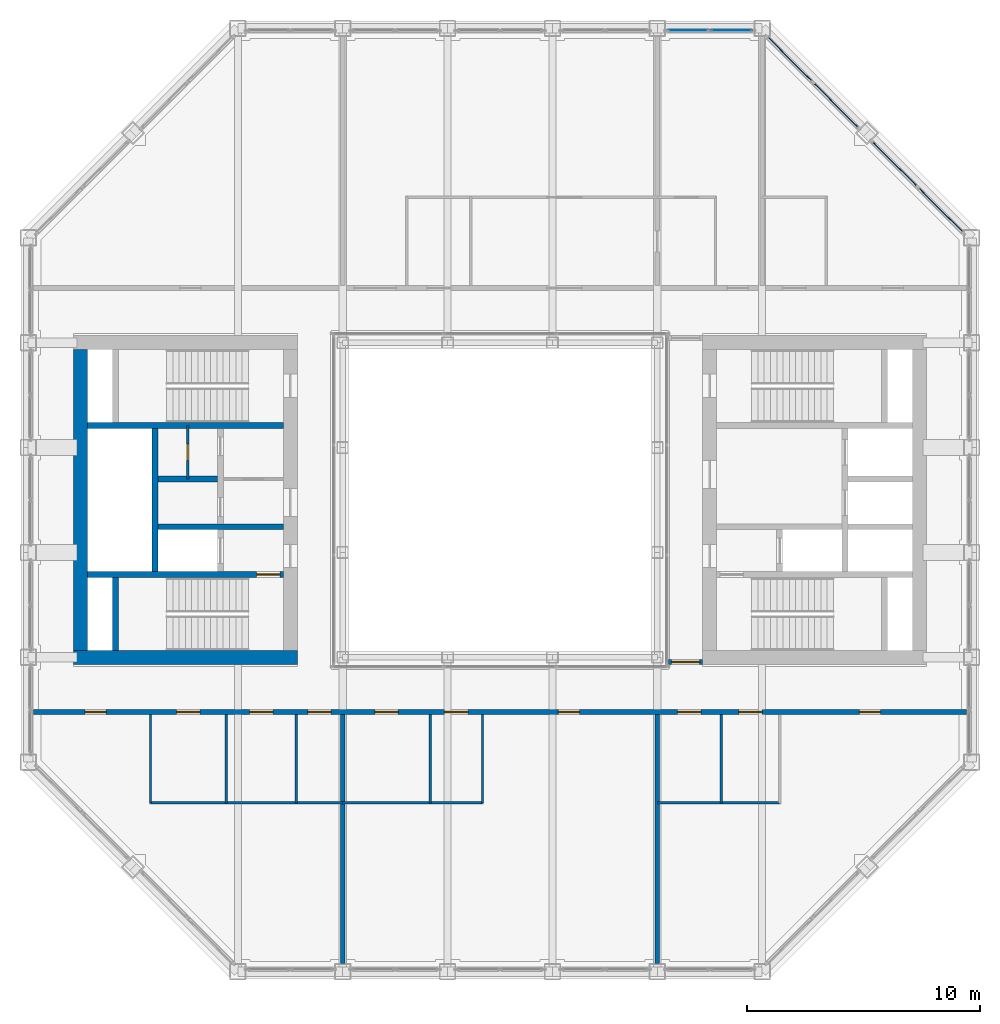
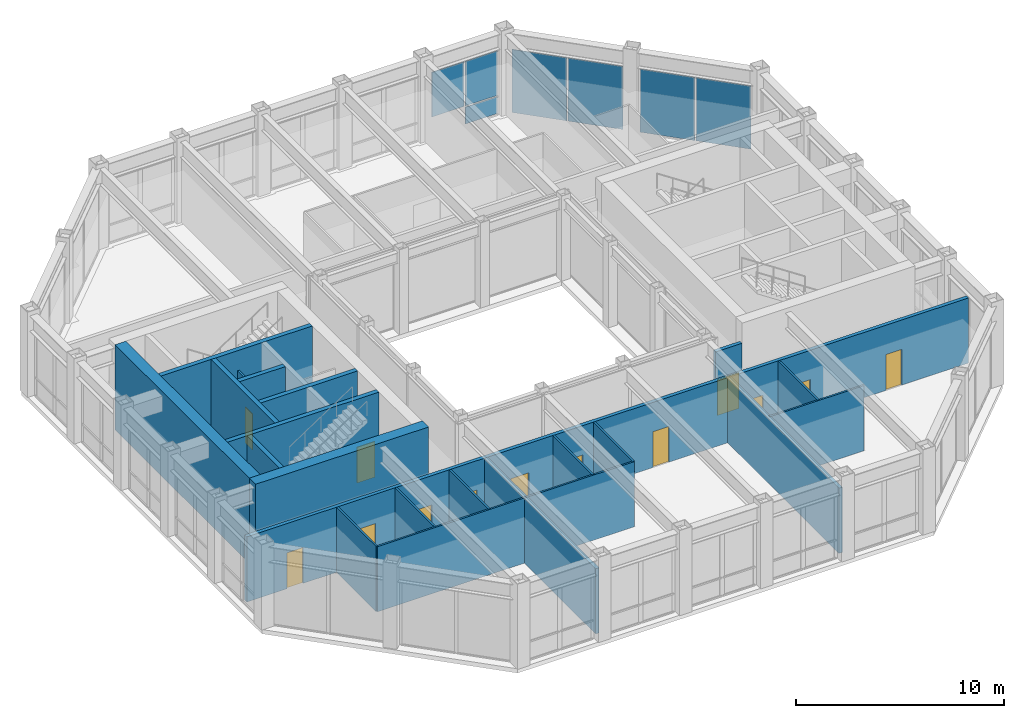
# One storey, part 11 of 15: 22 walls, 13 doors, 7 plates, 13 openings, 3 elements without a shape of their own.
"""IFC4 building model written with IfcOpenShell, lengths in metres."""

from ifc_helpers import new_model, si_unit, direction, frame, frame_2d, origin, origin_2d, place, context, subcontext, project, spatial, rectangle, extrude, material, layer, layer_set, type_object, element, fill, aggregate, save


model = new_model("IFC4")

# Units and contexts
model_context = context("Model", 3, precision=1e-05, world=origin(), true_north=direction((0.0, 1.0)))
body_context = subcontext(model_context, "Body", "Model", "MODEL_VIEW")
ifc_project = project(units=[si_unit("LENGTHUNIT", "METRE"), si_unit("AREAUNIT", "SQUARE_METRE"), si_unit("VOLUMEUNIT", "CUBIC_METRE"), si_unit("PLANEANGLEUNIT", "RADIAN"), si_unit("MASSUNIT", "GRAM", prefix="KILO")], contexts=[model_context])

# Site, building, storey
site_placement = place(None, origin())
site = spatial("IfcSite", under=ifc_project, at=site_placement, CompositionType="ELEMENT")
building_placement = place(site_placement, origin())
building = spatial("IfcBuilding", under=site, at=building_placement, Name="Msasa Ring Tower", CompositionType="ELEMENT")
storey_placement = place(building_placement, frame((0.0, 0.0, 257.050048828125)))
storey = spatial("IfcBuildingStorey", under=building, at=storey_placement, Name="L67", CompositionType="ELEMENT", Elevation=257.050048828125)

# Curtain wall, plates
ifc_material_1 = material(Name="Aluminium curtain wall with clear glass", Category="aluminium")
curtain_wall_type_1 = type_object("IfcCurtainWallType", Name="CW-C CHAMFER CORNER CURTAIN WALL", PredefinedType="NOTDEFINED", material=ifc_material_1)
curtain_wall_1_placement = place(storey_placement, origin())
curtain_wall_1 = element("IfcCurtainWall", 1, at=curtain_wall_1_placement, inside=storey, type_object=curtain_wall_type_1, Name="Chamfer corner curtain wall NE L67", PredefinedType="NOTDEFINED")
ifc_material_2 = material(Name="Clear laminated insulating glass unit", Category="glass")
ifc_layer_1 = layer(ifc_material_2, 0.031982421875)
ifc_layer_set_1 = layer_set([ifc_layer_1], Name="CW-C GLASS PANEL 32")
plate_type_1 = type_object("IfcPlateType", Name="CW-C GLASS PANEL 32", PredefinedType="CURTAIN_PANEL", material=ifc_layer_set_1)
plate_1_placement = place(storey_placement, frame((14.417236328125, 16.94140625, 0.06494140625), z_axis=(0.0, 0.0, 1.0), x_axis=(-0.707106781187, 0.707106781187, 0.0)))
plate_1 = element("IfcPlate", 2, at=plate_1_placement, type_object=plate_type_1, Name="CW-C panel 1.1", PredefinedType="CURTAIN_PANEL", context=body_context, shape_type="SweptSolid", body=[
    extrude(rectangle(XDim=2.7294921875, YDim=0.031982421875, at=origin_2d()), origin(), (0.0, 0.0, 1.0), 3.698974609375),
])
plate_2_placement = place(storey_placement, frame((12.44140625, 18.917236328125, 0.06494140625), z_axis=(0.0, 0.0, 1.0), x_axis=(-0.707106781187, 0.707106781187, 0.0)))
plate_2 = element("IfcPlate", 3, at=plate_2_placement, type_object=plate_type_1, Name="CW-C panel 2.1", PredefinedType="CURTAIN_PANEL", context=body_context, shape_type="SweptSolid", body=[
    extrude(rectangle(XDim=2.7294921875, YDim=0.031982421875, at=origin_2d()), origin(), (0.0, 0.0, 1.0), 3.698974609375),
])
aggregate(curtain_wall_1, [plate_1, plate_2])

curtain_wall_2_placement = place(storey_placement, origin())
curtain_wall_2 = element("IfcCurtainWall", 4, at=curtain_wall_2_placement, inside=storey, type_object=curtain_wall_type_1, Name="Chamfer corner curtain wall NE L67", PredefinedType="NOTDEFINED")
plate_3_placement = place(storey_placement, frame((18.917236328125, 12.44140625, 0.06494140625), z_axis=(0.0, 0.0, 1.0), x_axis=(-0.707106781187, 0.707106781187, 0.0)))
plate_3 = element("IfcPlate", 5, at=plate_3_placement, type_object=plate_type_1, Name="CW-C panel 1.1", PredefinedType="CURTAIN_PANEL", context=body_context, shape_type="SweptSolid", body=[
    extrude(rectangle(XDim=2.7294921875, YDim=0.031982421875, at=origin_2d()), origin(), (0.0, 0.0, 1.0), 3.698974609375),
])
plate_4_placement = place(storey_placement, frame((16.94140625, 14.417236328125, 0.06494140625), z_axis=(0.0, 0.0, 1.0), x_axis=(-0.707106781187, 0.707106781187, 0.0)))
plate_4 = element("IfcPlate", 6, at=plate_4_placement, type_object=plate_type_1, Name="CW-C panel 2.1", PredefinedType="CURTAIN_PANEL", context=body_context, shape_type="SweptSolid", body=[
    extrude(rectangle(XDim=2.7294921875, YDim=0.031982421875, at=origin_2d()), origin(), (0.0, 0.0, 1.0), 3.698974609375),
])
aggregate(curtain_wall_2, [plate_3, plate_4])

ifc_material_3 = material(Name="Aluminium curtain wall with clear glass", Category="aluminium")
curtain_wall_type_2 = type_object("IfcCurtainWallType", Name="CW-S SKY LOBBY CURTAIN WALL", PredefinedType="NOTDEFINED", material=ifc_material_3)
curtain_wall_3_placement = place(storey_placement, origin())
curtain_wall_3 = element("IfcCurtainWall", 7, at=curtain_wall_3_placement, inside=storey, type_object=curtain_wall_type_2, Name="Sky lobby curtain wall N L67", PredefinedType="NOTDEFINED")
ifc_material_4 = material(Name="Clear laminated insulating glass unit", Category="glass")
ifc_layer_2 = layer(ifc_material_4, 0.035888671875)
ifc_layer_set_2 = layer_set([ifc_layer_2], Name="CW-S GLASS PANEL 36")
plate_type_2 = type_object("IfcPlateType", Name="CW-S GLASS PANEL 36", PredefinedType="CURTAIN_PANEL", material=ifc_layer_set_2)
plate_5_placement = place(storey_placement, frame((8.0712890625, 20.14990234375, 1.1376953125), z_axis=(0.0, 0.0, 1.0), x_axis=(1.0, 0.0, 0.0)))
plate_5 = element("IfcPlate", 8, at=plate_5_placement, type_object=plate_type_2, Name="CW-S panel 1.2", PredefinedType="CURTAIN_PANEL", context=body_context, shape_type="SweptSolid", body=[
    extrude(rectangle(XDim=1.782470703125, YDim=0.035888671875, at=origin_2d()), origin(), (0.0, 0.0, 1.0), 2.616455078125),
])
plate_6_placement = place(storey_placement, frame((9.9287109375, 20.14990234375, 0.07470703125), z_axis=(0.0, 0.0, 1.0), x_axis=(1.0, 0.0, 0.0)))
plate_6 = element("IfcPlate", 9, at=plate_6_placement, type_object=plate_type_2, Name="CW-S panel 2.1", PredefinedType="CURTAIN_PANEL", context=body_context, shape_type="SweptSolid", body=[
    extrude(rectangle(XDim=1.782470703125, YDim=0.035888671875, at=origin_2d()), origin(), (0.0, 0.0, 1.0), 0.987548828125),
])
plate_7_placement = place(storey_placement, frame((9.9287109375, 20.14990234375, 1.1376953125), z_axis=(0.0, 0.0, 1.0), x_axis=(1.0, 0.0, 0.0)))
plate_7 = element("IfcPlate", 10, at=plate_7_placement, type_object=plate_type_2, Name="CW-S panel 2.2", PredefinedType="CURTAIN_PANEL", context=body_context, shape_type="SweptSolid", body=[
    extrude(rectangle(XDim=1.782470703125, YDim=0.035888671875, at=origin_2d()), origin(), (0.0, 0.0, 1.0), 2.616455078125),
])
aggregate(curtain_wall_3, [plate_5, plate_6, plate_7])

# Walls
ifc_material_5 = material(Name="Concrete C60/75", Category="concrete")
ifc_layer_3 = layer(ifc_material_5, 0.60009765625)
ifc_layer_set_3 = layer_set([ifc_layer_3], Name="CW3 CORE WALL 600")
wall_type_1 = type_object("IfcWallType", Name="CW3 CORE WALL 600", PredefinedType="SHEAR", material=ifc_layer_set_3)
wall_1_placement = place(storey_placement, frame((-8.699951171875, -6.75, 0.0), z_axis=(0.0, 0.0, 1.0), x_axis=(-1.0, 0.0, 0.0)))
element("IfcWall", 11, at=wall_1_placement, inside=storey, type_object=wall_type_1, Name="W core wall S L67", PredefinedType="SHEAR", context=body_context, shape_type="SweptSolid", body=[
    extrude(rectangle(XDim=9.60009765625, YDim=0.60009765625, at=frame_2d((4.800048828125, 0.0))), origin(), (0.0, 0.0, 1.0), 5.0),
])
wall_2_placement = place(storey_placement, frame((-18.0, -6.449951171875, 0.0), z_axis=(0.0, 0.0, 1.0), x_axis=(0.0, 1.0, 0.0)))
element("IfcWall", 12, at=wall_2_placement, inside=storey, type_object=wall_type_1, Name="W core wall E L67", PredefinedType="SHEAR", context=body_context, shape_type="SweptSolid", body=[
    extrude(rectangle(XDim=12.89990234375, YDim=0.60009765625, at=frame_2d((6.449951171875, 0.0))), origin(), (0.0, 0.0, 1.0), 5.0),
])

# Wall, opening, door
ifc_material_6 = material(Name="Concrete C60/75", Category="concrete")
ifc_layer_4 = layer(ifc_material_6, 0.25)
ifc_layer_set_4 = layer_set([ifc_layer_4], Name="CW4 CORE INNER WALL 250")
wall_type_2 = type_object("IfcWallType", Name="CW4 CORE INNER WALL 250", PredefinedType="SHEAR", material=ifc_layer_set_4)
wall_3_placement = place(storey_placement, frame((-9.300048828125, -3.199951171875, 0.0), z_axis=(0.0, 0.0, 1.0), x_axis=(-1.0, 0.0, 0.0)))
wall_3 = element("IfcWall", 13, at=wall_3_placement, inside=storey, type_object=wall_type_2, Name="W core wall STAIRA L67", PredefinedType="SHEAR", context=body_context, shape_type="SweptSolid", body=[
    extrude(rectangle(XDim=8.39990234375, YDim=0.25, at=frame_2d((4.199951171875, 0.0))), origin(), (0.0, 0.0, 1.0), 5.0),
])
opening_1_placement = place(wall_3_placement, frame((0.14990234375, 0.0, 0.0)))
opening_1 = element("IfcOpeningElement", 14, at=opening_1_placement, cuts=wall_3, Name="Opening L67-022", PredefinedType="OPENING", context=body_context, shape_type="SweptSolid", body=[
    extrude(rectangle(XDim=1.0, YDim=2.10009765625, at=frame_2d((0.5, 1.050048828125))), frame((0.0, 0.135009765625, 0.0), z_axis=(0.0, -1.0, 0.0), x_axis=(1.0, 0.0, 0.0)), (0.0, 0.0, 1.0), 0.27001953125),
])
ifc_material_7 = material(Name="Timber door leaf in a steel frame", Category="steel")
door_type_1 = type_object("IfcDoorType", Name="D6 STAIR DOOR 1000x2100", OperationType="SINGLE_SWING_LEFT", PredefinedType="DOOR", material=ifc_material_7)
door_1_placement = place(opening_1_placement, origin())
door_1 = element("IfcDoor", 15, at=door_1_placement, inside=storey, type_object=door_type_1, Name="Door L67-WSTA", OperationType="SINGLE_SWING_LEFT", OverallHeight=2.10009765625, OverallWidth=1.0, PredefinedType="DOOR", context=body_context, shape_type="SweptSolid", body=[
    extrude(rectangle(XDim=1.0, YDim=2.10009765625, at=frame_2d((0.5, 1.050048828125))), frame((0.0, 0.02490234375, 0.0), z_axis=(0.0, -1.0, 0.0), x_axis=(1.0, 0.0, 0.0)), (0.0, 0.0, 1.0), 0.050048828125),
])
fill(opening_1, door_1)

# Walls
wall_4_placement = place(storey_placement, frame((-9.300048828125, 3.199951171875, 0.0), z_axis=(0.0, 0.0, 1.0), x_axis=(-1.0, 0.0, 0.0)))
element("IfcWall", 16, at=wall_4_placement, inside=storey, type_object=wall_type_2, Name="W core wall STAIRB L67", PredefinedType="SHEAR", context=body_context, shape_type="SweptSolid", body=[
    extrude(rectangle(XDim=8.39990234375, YDim=0.25, at=frame_2d((4.199951171875, 0.0))), origin(), (0.0, 0.0, 1.0), 5.0),
])
wall_5_placement = place(storey_placement, frame((-16.5, -6.449951171875, 0.0), z_axis=(0.0, 0.0, 1.0), x_axis=(0.0, 1.0, 0.0)))
element("IfcWall", 17, at=wall_5_placement, inside=storey, type_object=wall_type_2, Name="W core wall RISERA L67", PredefinedType="SHEAR", context=body_context, shape_type="SweptSolid", body=[
    extrude(rectangle(XDim=3.125, YDim=0.25, at=frame_2d((1.5625, 0.0))), origin(), (0.0, 0.0, 1.0), 5.0),
])
wall_6_placement = place(storey_placement, frame((-9.300048828125, -1.14990234375, 0.0), z_axis=(0.0, 0.0, 1.0), x_axis=(-1.0, 0.0, 0.0)))
element("IfcWall", 18, at=wall_6_placement, inside=storey, type_object=wall_type_2, Name="W core wall FFL L67", PredefinedType="SHEAR", context=body_context, shape_type="SweptSolid", body=[
    extrude(rectangle(XDim=5.375, YDim=0.25, at=frame_2d((2.6875, 0.0))), origin(), (0.0, 0.0, 1.0), 5.0),
])
wall_7_placement = place(storey_placement, frame((-14.800048828125, -3.074951171875, 0.0), z_axis=(0.0, 0.0, 1.0), x_axis=(0.0, 1.0, 0.0)))
element("IfcWall", 19, at=wall_7_placement, inside=storey, type_object=wall_type_2, Name="W core wall SHAFT L67", PredefinedType="SHEAR", context=body_context, shape_type="SweptSolid", body=[
    extrude(rectangle(XDim=6.14990234375, YDim=0.25, at=frame_2d((3.074951171875, 0.0))), origin(), (0.0, 0.0, 1.0), 5.0),
])
wall_8_placement = place(storey_placement, frame((-12.125, 0.89990234375, 0.0), z_axis=(0.0, 0.0, 1.0), x_axis=(-1.0, 0.0, 0.0)))
element("IfcWall", 20, at=wall_8_placement, inside=storey, type_object=wall_type_2, Name="W core wall LIFT1 L67", PredefinedType="SHEAR", context=body_context, shape_type="SweptSolid", body=[
    extrude(rectangle(XDim=2.550048828125, YDim=0.25, at=frame_2d((1.27490234375, 0.0))), origin(), (0.0, 0.0, 1.0), 5.0),
])

# Wall, opening, door
ifc_material_8 = material(Name="Concrete blockwork", Category="masonry")
ifc_layer_5 = layer(ifc_material_8, 0.199951171875)
ifc_layer_set_5 = layer_set([ifc_layer_5], Name="PT1 CORRIDOR WALL 200")
wall_type_3 = type_object("IfcWallType", Name="PT1 CORRIDOR WALL 200", PredefinedType="PARTITIONING", material=ifc_layer_set_5)
wall_9_placement = place(storey_placement, frame((7.22998046875, -6.949951171875, 0.0), z_axis=(0.0, 0.0, 1.0), x_axis=(1.0, 0.0, 0.0)))
wall_9 = element("IfcWall", 21, at=wall_9_placement, inside=storey, type_object=wall_type_3, Name="Corridor wall L67-SDES", PredefinedType="PARTITIONING", context=body_context, shape_type="SweptSolid", body=[
    extrude(rectangle(XDim=1.469970703125, YDim=0.199951171875, at=frame_2d((0.73486328125, 0.0))), origin(), (0.0, 0.0, 1.0), 3.8232421875),
])
opening_2_placement = place(wall_9_placement, frame((0.135009765625, 0.0, 0.0)))
opening_2 = element("IfcOpeningElement", 22, at=opening_2_placement, cuts=wall_9, Name="Opening L67-024", PredefinedType="OPENING", context=body_context, shape_type="SweptSolid", body=[
    extrude(rectangle(XDim=1.199951171875, YDim=2.10009765625, at=frame_2d((0.60009765625, 1.050048828125))), frame((0.0, 0.10986328125, 0.0), z_axis=(0.0, -1.0, 0.0), x_axis=(1.0, 0.0, 0.0)), (0.0, 0.0, 1.0), 0.219970703125),
])
ifc_material_9 = material(Name="Timber door leaf in a steel frame", Category="steel")
door_type_2 = type_object("IfcDoorType", Name="D25 CORRIDOR PAIR OF SMOKE DOORS 1200x2100", OperationType="DOUBLE_DOOR_DOUBLE_SWING", PredefinedType="DOOR", material=ifc_material_9)
door_2_placement = place(opening_2_placement, origin())
door_2 = element("IfcDoor", 23, at=door_2_placement, inside=storey, type_object=door_type_2, Name="Door L67-SDES", OperationType="DOUBLE_DOOR_DOUBLE_SWING", OverallHeight=2.10009765625, OverallWidth=1.199951171875, PredefinedType="DOOR", context=body_context, shape_type="SweptSolid", body=[
    extrude(rectangle(XDim=1.199951171875, YDim=2.10009765625, at=frame_2d((0.60009765625, 1.050048828125))), frame((0.0, 0.02490234375, 0.0), z_axis=(0.0, -1.0, 0.0), x_axis=(1.0, 0.0, 0.0)), (0.0, 0.0, 1.0), 0.050048828125),
])
fill(opening_2, door_2)

# Wall, openings, doors
wall_10_placement = place(storey_placement, frame((-20.02490234375, -9.10009765625, 0.0), z_axis=(0.0, 0.0, 1.0), x_axis=(1.0, 0.0, 0.0)))
wall_10 = element("IfcWall", 24, at=wall_10_placement, inside=storey, type_object=wall_type_3, Name="Corridor wall L67-CORRS0", PredefinedType="PARTITIONING", context=body_context, shape_type="SweptSolid", body=[
    extrude(rectangle(XDim=40.0498046875, YDim=0.199951171875, at=frame_2d((20.02490234375, 0.0))), origin(), (0.0, 0.0, 1.0), 3.8232421875),
])
opening_3_placement = place(wall_10_placement, frame((2.22021484375, 0.0, 0.0)))
opening_3 = element("IfcOpeningElement", 25, at=opening_3_placement, cuts=wall_10, Name="Opening L67-025", PredefinedType="OPENING", context=body_context, shape_type="SweptSolid", body=[
    extrude(rectangle(XDim=0.89990234375, YDim=2.10009765625, at=frame_2d((0.449951171875, 1.050048828125))), frame((0.0, 0.10986328125, 0.0), z_axis=(0.0, -1.0, 0.0), x_axis=(1.0, 0.0, 0.0)), (0.0, 0.0, 1.0), 0.219970703125),
])
opening_4_placement = place(wall_10_placement, frame((6.14990234375, 0.0, 0.0)))
opening_4 = element("IfcOpeningElement", 26, at=opening_4_placement, cuts=wall_10, Name="Opening L67-026", PredefinedType="OPENING", context=body_context, shape_type="SweptSolid", body=[
    extrude(rectangle(XDim=1.0, YDim=2.10009765625, at=frame_2d((0.5, 1.050048828125))), frame((0.0, 0.10986328125, 0.0), z_axis=(0.0, -1.0, 0.0), x_axis=(1.0, 0.0, 0.0)), (0.0, 0.0, 1.0), 0.219970703125),
])
opening_5_placement = place(wall_10_placement, frame((9.27490234375, 0.0, 0.0)))
opening_5 = element("IfcOpeningElement", 27, at=opening_5_placement, cuts=wall_10, Name="Opening L67-027", PredefinedType="OPENING", context=body_context, shape_type="SweptSolid", body=[
    extrude(rectangle(XDim=1.0, YDim=2.10009765625, at=frame_2d((0.5, 1.050048828125))), frame((0.0, 0.10986328125, 0.0), z_axis=(0.0, -1.0, 0.0), x_axis=(1.0, 0.0, 0.0)), (0.0, 0.0, 1.0), 0.219970703125),
])
opening_6_placement = place(wall_10_placement, frame((11.77490234375, 0.0, 0.0)))
opening_6 = element("IfcOpeningElement", 28, at=opening_6_placement, cuts=wall_10, Name="Opening L67-028", PredefinedType="OPENING", context=body_context, shape_type="SweptSolid", body=[
    extrude(rectangle(XDim=1.0, YDim=2.10009765625, at=frame_2d((0.5, 1.050048828125))), frame((0.0, 0.10986328125, 0.0), z_axis=(0.0, -1.0, 0.0), x_axis=(1.0, 0.0, 0.0)), (0.0, 0.0, 1.0), 0.219970703125),
])
opening_7_placement = place(wall_10_placement, frame((22.5341796875, 0.0, 0.0)))
opening_7 = element("IfcOpeningElement", 29, at=opening_7_placement, cuts=wall_10, Name="Opening L67-031", PredefinedType="OPENING", context=body_context, shape_type="SweptSolid", body=[
    extrude(rectangle(XDim=0.89990234375, YDim=2.10009765625, at=frame_2d((0.449951171875, 1.050048828125))), frame((0.0, 0.10986328125, 0.0), z_axis=(0.0, -1.0, 0.0), x_axis=(1.0, 0.0, 0.0)), (0.0, 0.0, 1.0), 0.219970703125),
])
opening_8_placement = place(wall_10_placement, frame((14.64990234375, 0.0, 0.0)))
opening_8 = element("IfcOpeningElement", 30, at=opening_8_placement, cuts=wall_10, Name="Opening L67-029", PredefinedType="OPENING", context=body_context, shape_type="SweptSolid", body=[
    extrude(rectangle(XDim=1.0, YDim=2.10009765625, at=frame_2d((0.5, 1.050048828125))), frame((0.0, 0.10986328125, 0.0), z_axis=(0.0, -1.0, 0.0), x_axis=(1.0, 0.0, 0.0)), (0.0, 0.0, 1.0), 0.219970703125),
])
opening_9_placement = place(wall_10_placement, frame((17.64990234375, 0.0, 0.0)))
opening_9 = element("IfcOpeningElement", 31, at=opening_9_placement, cuts=wall_10, Name="Opening L67-030", PredefinedType="OPENING", context=body_context, shape_type="SweptSolid", body=[
    extrude(rectangle(XDim=1.0, YDim=2.10009765625, at=frame_2d((0.5, 1.050048828125))), frame((0.0, 0.10986328125, 0.0), z_axis=(0.0, -1.0, 0.0), x_axis=(1.0, 0.0, 0.0)), (0.0, 0.0, 1.0), 0.219970703125),
])
opening_10_placement = place(wall_10_placement, frame((35.4521484375, 0.0, 0.0)))
opening_10 = element("IfcOpeningElement", 32, at=opening_10_placement, cuts=wall_10, Name="Opening L67-034", PredefinedType="OPENING", context=body_context, shape_type="SweptSolid", body=[
    extrude(rectangle(XDim=0.89990234375, YDim=2.10009765625, at=frame_2d((0.449951171875, 1.050048828125))), frame((0.0, 0.10986328125, 0.0), z_axis=(0.0, -1.0, 0.0), x_axis=(1.0, 0.0, 0.0)), (0.0, 0.0, 1.0), 0.219970703125),
])
opening_11_placement = place(wall_10_placement, frame((27.64990234375, 0.0, 0.0)))
opening_11 = element("IfcOpeningElement", 33, at=opening_11_placement, cuts=wall_10, Name="Opening L67-032", PredefinedType="OPENING", context=body_context, shape_type="SweptSolid", body=[
    extrude(rectangle(XDim=1.0, YDim=2.10009765625, at=frame_2d((0.5, 1.050048828125))), frame((0.0, 0.10986328125, 0.0), z_axis=(0.0, -1.0, 0.0), x_axis=(1.0, 0.0, 0.0)), (0.0, 0.0, 1.0), 0.219970703125),
])
opening_12_placement = place(wall_10_placement, frame((30.27490234375, 0.0, 0.0)))
opening_12 = element("IfcOpeningElement", 34, at=opening_12_placement, cuts=wall_10, Name="Opening L67-033", PredefinedType="OPENING", context=body_context, shape_type="SweptSolid", body=[
    extrude(rectangle(XDim=1.0, YDim=2.10009765625, at=frame_2d((0.5, 1.050048828125))), frame((0.0, 0.10986328125, 0.0), z_axis=(0.0, -1.0, 0.0), x_axis=(1.0, 0.0, 0.0)), (0.0, 0.0, 1.0), 0.219970703125),
])
ifc_material_10 = material(Name="Timber door leaf in a steel frame", Category="steel")
door_type_3 = type_object("IfcDoorType", Name="D1 SINGLE DOOR TO CORRIDOR 900x2100", OperationType="SINGLE_SWING_LEFT", PredefinedType="DOOR", material=ifc_material_10)
door_3_placement = place(opening_3_placement, origin())
door_3 = element("IfcDoor", 35, at=door_3_placement, inside=storey, type_object=door_type_3, Name="Door L67-SBS0F0", OperationType="SINGLE_SWING_LEFT", OverallHeight=2.10009765625, OverallWidth=0.89990234375, PredefinedType="DOOR", context=body_context, shape_type="SweptSolid", body=[
    extrude(rectangle(XDim=0.89990234375, YDim=2.10009765625, at=frame_2d((0.449951171875, 1.050048828125))), frame((0.0, 0.02490234375, 0.0), z_axis=(0.0, -1.0, 0.0), x_axis=(1.0, 0.0, 0.0)), (0.0, 0.0, 1.0), 0.050048828125),
])
fill(opening_3, door_3)
door_4_placement = place(opening_7_placement, origin())
door_4 = element("IfcDoor", 36, at=door_4_placement, inside=storey, type_object=door_type_3, Name="Door L67-SBS1F0", OperationType="SINGLE_SWING_RIGHT", OverallHeight=2.10009765625, OverallWidth=0.89990234375, PredefinedType="DOOR", context=body_context, shape_type="SweptSolid", body=[
    extrude(rectangle(XDim=0.89990234375, YDim=2.10009765625, at=frame_2d((0.449951171875, 1.050048828125))), frame((0.0, 0.02490234375, 0.0), z_axis=(0.0, -1.0, 0.0), x_axis=(1.0, 0.0, 0.0)), (0.0, 0.0, 1.0), 0.050048828125),
])
fill(opening_7, door_4)
door_5_placement = place(opening_10_placement, origin())
door_5 = element("IfcDoor", 37, at=door_5_placement, inside=storey, type_object=door_type_3, Name="Door L67-SBS2F0", OperationType="SINGLE_SWING_RIGHT", OverallHeight=2.10009765625, OverallWidth=0.89990234375, PredefinedType="DOOR", context=body_context, shape_type="SweptSolid", body=[
    extrude(rectangle(XDim=0.89990234375, YDim=2.10009765625, at=frame_2d((0.449951171875, 1.050048828125))), frame((0.0, 0.02490234375, 0.0), z_axis=(0.0, -1.0, 0.0), x_axis=(1.0, 0.0, 0.0)), (0.0, 0.0, 1.0), 0.050048828125),
])
fill(opening_10, door_5)
ifc_material_11 = material(Name="Timber door leaf in a steel frame", Category="steel")
door_type_4 = type_object("IfcDoorType", Name="D10 STORE DOOR 1000x2100", OperationType="SINGLE_SWING_LEFT", PredefinedType="DOOR", material=ifc_material_11)
door_6_placement = place(opening_12_placement, origin())
door_6 = element("IfcDoor", 38, at=door_6_placement, inside=storey, type_object=door_type_4, Name="Door L67-SBS2B1", OperationType="SINGLE_SWING_RIGHT", OverallHeight=2.10009765625, OverallWidth=1.0, PredefinedType="DOOR", context=body_context, shape_type="SweptSolid", body=[
    extrude(rectangle(XDim=1.0, YDim=2.10009765625, at=frame_2d((0.5, 1.050048828125))), frame((0.0, 0.02490234375, 0.0), z_axis=(0.0, -1.0, 0.0), x_axis=(1.0, 0.0, 0.0)), (0.0, 0.0, 1.0), 0.050048828125),
])
fill(opening_12, door_6)
ifc_material_12 = material(Name="Timber door leaf in a steel frame", Category="steel")
door_type_5 = type_object("IfcDoorType", Name="D12 WC DOOR 1000x2100", OperationType="SINGLE_SWING_LEFT", PredefinedType="DOOR", material=ifc_material_12)
door_7_placement = place(opening_4_placement, origin())
door_7 = element("IfcDoor", 39, at=door_7_placement, inside=storey, type_object=door_type_5, Name="Door L67-SBS0B0", OperationType="SINGLE_SWING_LEFT", OverallHeight=2.10009765625, OverallWidth=1.0, PredefinedType="DOOR", context=body_context, shape_type="SweptSolid", body=[
    extrude(rectangle(XDim=1.0, YDim=2.10009765625, at=frame_2d((0.5, 1.050048828125))), frame((0.0, 0.02490234375, 0.0), z_axis=(0.0, -1.0, 0.0), x_axis=(1.0, 0.0, 0.0)), (0.0, 0.0, 1.0), 0.050048828125),
])
fill(opening_4, door_7)
door_8_placement = place(opening_5_placement, origin())
door_8 = element("IfcDoor", 40, at=door_8_placement, inside=storey, type_object=door_type_5, Name="Door L67-SBS0B1", OperationType="SINGLE_SWING_LEFT", OverallHeight=2.10009765625, OverallWidth=1.0, PredefinedType="DOOR", context=body_context, shape_type="SweptSolid", body=[
    extrude(rectangle(XDim=1.0, YDim=2.10009765625, at=frame_2d((0.5, 1.050048828125))), frame((0.0, 0.02490234375, 0.0), z_axis=(0.0, -1.0, 0.0), x_axis=(1.0, 0.0, 0.0)), (0.0, 0.0, 1.0), 0.050048828125),
])
fill(opening_5, door_8)
door_9_placement = place(opening_6_placement, origin())
door_9 = element("IfcDoor", 41, at=door_9_placement, inside=storey, type_object=door_type_5, Name="Door L67-SBS0B2", OperationType="SINGLE_SWING_LEFT", OverallHeight=2.10009765625, OverallWidth=1.0, PredefinedType="DOOR", context=body_context, shape_type="SweptSolid", body=[
    extrude(rectangle(XDim=1.0, YDim=2.10009765625, at=frame_2d((0.5, 1.050048828125))), frame((0.0, 0.02490234375, 0.0), z_axis=(0.0, -1.0, 0.0), x_axis=(1.0, 0.0, 0.0)), (0.0, 0.0, 1.0), 0.050048828125),
])
fill(opening_6, door_9)
door_10_placement = place(opening_8_placement, origin())
door_10 = element("IfcDoor", 42, at=door_10_placement, inside=storey, type_object=door_type_5, Name="Door L67-SBS1B0", OperationType="SINGLE_SWING_LEFT", OverallHeight=2.10009765625, OverallWidth=1.0, PredefinedType="DOOR", context=body_context, shape_type="SweptSolid", body=[
    extrude(rectangle(XDim=1.0, YDim=2.10009765625, at=frame_2d((0.5, 1.050048828125))), frame((0.0, 0.02490234375, 0.0), z_axis=(0.0, -1.0, 0.0), x_axis=(1.0, 0.0, 0.0)), (0.0, 0.0, 1.0), 0.050048828125),
])
fill(opening_8, door_10)
door_11_placement = place(opening_9_placement, origin())
door_11 = element("IfcDoor", 43, at=door_11_placement, inside=storey, type_object=door_type_5, Name="Door L67-SBS1B1", OperationType="SINGLE_SWING_LEFT", OverallHeight=2.10009765625, OverallWidth=1.0, PredefinedType="DOOR", context=body_context, shape_type="SweptSolid", body=[
    extrude(rectangle(XDim=1.0, YDim=2.10009765625, at=frame_2d((0.5, 1.050048828125))), frame((0.0, 0.02490234375, 0.0), z_axis=(0.0, -1.0, 0.0), x_axis=(1.0, 0.0, 0.0)), (0.0, 0.0, 1.0), 0.050048828125),
])
fill(opening_9, door_11)
ifc_material_13 = material(Name="Timber door leaf in a steel frame", Category="steel")
door_type_6 = type_object("IfcDoorType", Name="D40 SINGLE DOOR TO CORRIDOR 1000x2100", OperationType="SINGLE_SWING_LEFT", PredefinedType="DOOR", material=ifc_material_13)
door_12_placement = place(opening_11_placement, origin())
door_12 = element("IfcDoor", 44, at=door_12_placement, inside=storey, type_object=door_type_6, Name="Door L67-SBS2B0", OperationType="SINGLE_SWING_RIGHT", OverallHeight=2.10009765625, OverallWidth=1.0, PredefinedType="DOOR", context=body_context, shape_type="SweptSolid", body=[
    extrude(rectangle(XDim=1.0, YDim=2.10009765625, at=frame_2d((0.5, 1.050048828125))), frame((0.0, 0.02490234375, 0.0), z_axis=(0.0, -1.0, 0.0), x_axis=(1.0, 0.0, 0.0)), (0.0, 0.0, 1.0), 0.050048828125),
])
fill(opening_11, door_12)

# Walls
ifc_material_14 = material(Name="Gypsum board on steel studs", Category="steel")
ifc_layer_6 = layer(ifc_material_14, 0.10009765625)
ifc_layer_set_6 = layer_set([ifc_layer_6], Name="PT2 STUD PARTITION 100")
wall_type_4 = type_object("IfcWallType", Name="PT2 STUD PARTITION 100", PredefinedType="PARTITIONING", material=ifc_layer_set_6)
wall_11_placement = place(storey_placement, frame((-15.0, -13.0, 0.0), z_axis=(0.0, 0.0, 1.0), x_axis=(1.0, 0.0, 0.0)))
element("IfcWall", 45, at=wall_11_placement, inside=storey, type_object=wall_type_4, Name="Partition L67-SBS0X0", PredefinedType="PARTITIONING", context=body_context, shape_type="SweptSolid", body=[
    extrude(rectangle(XDim=8.25, YDim=0.10009765625, at=frame_2d((4.125, 0.0))), origin(), (0.0, 0.0, 1.0), 3.8232421875),
])
for number, where, z_axis, x_axis, name in (
    (46, (-15.0, -13.0, 0.0), (0.0, 0.0, 1.0), (0.0, 1.0, 0.0), "Partition L67-SBS0Y0"),
    (47, (-11.75, -13.0, 0.0), (0.0, 0.0, 1.0), (0.0, 1.0, 0.0), "Partition L67-SBS0Y1"),
    (48, (-8.75, -13.0, 0.0), (0.0, 0.0, 1.0), (0.0, 1.0, 0.0), "Partition L67-SBS0Y2"),
):
    element("IfcWall", number, at=place(storey_placement, frame(where, z_axis=z_axis, x_axis=x_axis)), inside=storey, type_object=wall_type_4, Name=name, PredefinedType="PARTITIONING", context=body_context, shape_type="SweptSolid", body=[
        extrude(rectangle(XDim=3.800048828125, YDim=0.10009765625, at=frame_2d((1.89990234375, 0.0))), origin(), (0.0, 0.0, 1.0), 3.8232421875),
    ])
wall_12_placement = place(storey_placement, frame((-6.75, -13.0, 0.0), z_axis=(0.0, 0.0, 1.0), x_axis=(1.0, 0.0, 0.0)))
element("IfcWall", 49, at=wall_12_placement, inside=storey, type_object=wall_type_4, Name="Partition L67-SBS1X0", PredefinedType="PARTITIONING", context=body_context, shape_type="SweptSolid", body=[
    extrude(rectangle(XDim=6.0, YDim=0.10009765625, at=frame_2d((3.0, 0.0))), origin(), (0.0, 0.0, 1.0), 3.8232421875),
])
for number, where, z_axis, x_axis, name in (
    (50, (-3.0, -13.0, 0.0), (0.0, 0.0, 1.0), (0.0, 1.0, 0.0), "Partition L67-SBS1Y0"),
    (51, (-0.75, -13.0, 0.0), (0.0, 0.0, 1.0), (0.0, 1.0, 0.0), "Partition L67-SBS1Y1"),
):
    element("IfcWall", number, at=place(storey_placement, frame(where, z_axis=z_axis, x_axis=x_axis)), inside=storey, type_object=wall_type_4, Name=name, PredefinedType="PARTITIONING", context=body_context, shape_type="SweptSolid", body=[
        extrude(rectangle(XDim=3.800048828125, YDim=0.10009765625, at=frame_2d((1.89990234375, 0.0))), origin(), (0.0, 0.0, 1.0), 3.8232421875),
    ])
wall_13_placement = place(storey_placement, frame((6.75, -13.0, 0.0), z_axis=(0.0, 0.0, 1.0), x_axis=(1.0, 0.0, 0.0)))
element("IfcWall", 52, at=wall_13_placement, inside=storey, type_object=wall_type_4, Name="Partition L67-SBS2X0", PredefinedType="PARTITIONING", context=body_context, shape_type="SweptSolid", body=[
    extrude(rectangle(XDim=5.25, YDim=0.10009765625, at=frame_2d((2.625, 0.0))), origin(), (0.0, 0.0, 1.0), 3.8232421875),
])
wall_14_placement = place(storey_placement, frame((9.5, -13.0, 0.0), z_axis=(0.0, 0.0, 1.0), x_axis=(0.0, 1.0, 0.0)))
element("IfcWall", 53, at=wall_14_placement, inside=storey, type_object=wall_type_4, Name="Partition L67-SBS2Y0", PredefinedType="PARTITIONING", context=body_context, shape_type="SweptSolid", body=[
    extrude(rectangle(XDim=3.800048828125, YDim=0.10009765625, at=frame_2d((1.89990234375, 0.0))), origin(), (0.0, 0.0, 1.0), 3.8232421875),
])

# Wall, opening, door
wall_15_placement = place(storey_placement, frame((-13.39990234375, 0.89990234375, 0.0), z_axis=(0.0, 0.0, 1.0), x_axis=(0.0, 1.0, 0.0)))
wall_15 = element("IfcWall", 54, at=wall_15_placement, inside=storey, type_object=wall_type_4, Name="Partition L67-WRP2", PredefinedType="PARTITIONING", context=body_context, shape_type="SweptSolid", body=[
    extrude(rectangle(XDim=2.300048828125, YDim=0.10009765625, at=frame_2d((1.14990234375, 0.0))), origin(), (0.0, 0.0, 1.0), 3.8232421875),
])
opening_13_placement = place(wall_15_placement, frame((0.800048828125, 0.0, 0.0)))
opening_13 = element("IfcOpeningElement", 55, at=opening_13_placement, cuts=wall_15, Name="Opening L67-015", PredefinedType="OPENING", context=body_context, shape_type="SweptSolid", body=[
    extrude(rectangle(XDim=0.699951171875, YDim=2.10009765625, at=frame_2d((0.35009765625, 1.050048828125))), frame((0.0, 0.06005859375, 0.0), z_axis=(0.0, -1.0, 0.0), x_axis=(1.0, 0.0, 0.0)), (0.0, 0.0, 1.0), 0.1201171875),
])
ifc_material_15 = material(Name="Timber door leaf in a steel frame", Category="steel")
door_type_7 = type_object("IfcDoorType", Name="D32 INTERNAL NARROW STORE DOOR 700x2100", OperationType="SINGLE_SWING_LEFT", PredefinedType="DOOR", material=ifc_material_15)
door_13_placement = place(opening_13_placement, origin())
door_13 = element("IfcDoor", 56, at=door_13_placement, inside=storey, type_object=door_type_7, Name="Door L67-WRC2", OperationType="SINGLE_SWING_LEFT", OverallHeight=2.10009765625, OverallWidth=0.699951171875, PredefinedType="DOOR", context=body_context, shape_type="SweptSolid", body=[
    extrude(rectangle(XDim=0.699951171875, YDim=2.10009765625, at=frame_2d((0.35009765625, 1.050048828125))), frame((0.0, 0.02490234375, 0.0), z_axis=(0.0, -1.0, 0.0), x_axis=(1.0, 0.0, 0.0)), (0.0, 0.0, 1.0), 0.050048828125),
])
fill(opening_13, door_13)

# Walls
ifc_material_16 = material(Name="Dense concrete blockwork, plastered both faces", Category="masonry")
ifc_layer_7 = layer(ifc_material_16, 0.25)
ifc_layer_set_7 = layer_set([ifc_layer_7], Name="PT3 APARTMENT SEPARATING WALL 250")
wall_type_5 = type_object("IfcWallType", Name="PT3 APARTMENT SEPARATING WALL 250", PredefinedType="PARTITIONING", material=ifc_layer_set_7)
for number, where, z_axis, x_axis, name in (
    (57, (-6.75, -19.89990234375, 0.0), (0.0, 0.0, 1.0), (0.0, 1.0, 0.0), "Party wall L67-PWS-6.75"),
    (58, (6.75, -19.89990234375, 0.0), (0.0, 0.0, 1.0), (0.0, 1.0, 0.0), "Party wall L67-PWS+6.75"),
):
    element("IfcWall", number, at=place(storey_placement, frame(where, z_axis=z_axis, x_axis=x_axis)), inside=storey, type_object=wall_type_5, Name=name, PredefinedType="PARTITIONING", context=body_context, shape_type="SweptSolid", body=[
        extrude(rectangle(XDim=10.699951171875, YDim=0.199951171875, at=frame_2d((5.35009765625, 0.0))), origin(), (0.0, 0.0, 1.0), 3.8232421875),
    ])

save(model, "model.ifc")
